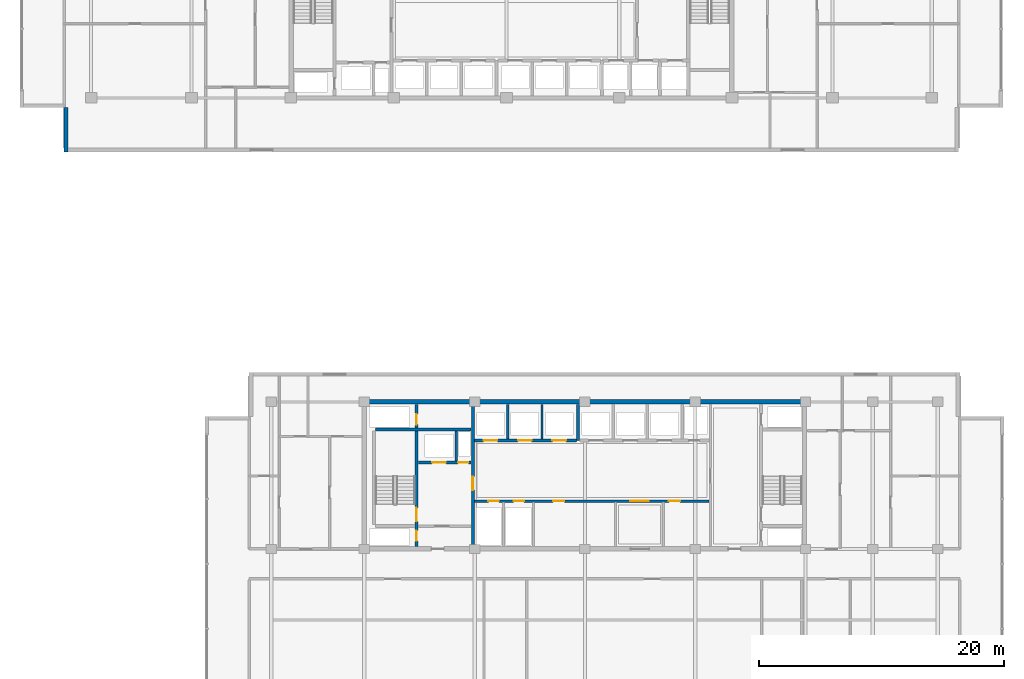
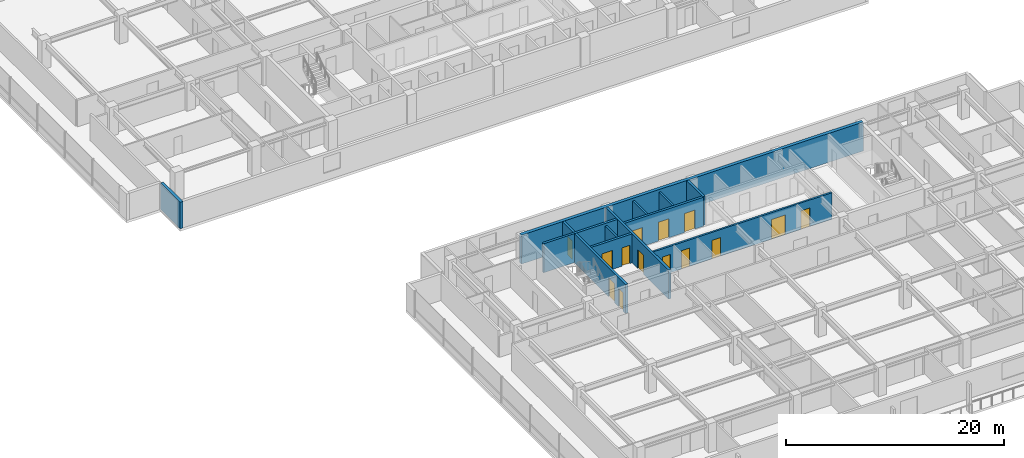
# One storey, part 23 of 38: 14 doors, 12 walls, 14 openings.
"""IFC4 building model written with IfcOpenShell, lengths in metres."""

import ifcopenshell
import ifcopenshell.guid

model = None  # the IFC model being written
_history = None  # IfcOwnerHistory: only IFC2X3 demands one
_inside = {}  # id of a spatial element -> (the spatial element, [elements in it])
_under = {}  # id of a project, library or spatial element -> (it, [spatial elements below it])
_declared = {}  # id of a project -> (the project, [libraries it declares])
_typed = {}  # id of a type object -> (the type object, [elements of that type])
_made_of = {}  # id of a material, layer set ... -> (it, [elements and type objects made of it])


def new_model(schema):
    """Start an empty IFC model of exactly this schema.

    Asked for "IFC4X3", IfcOpenShell would pick the latest addendum, in which some entities
    have other attributes; the version numbers below select the first issue.
    IFC2X3 requires an IfcOwnerHistory on every rooted entity: one is made here for all.
    """
    global model, _history
    if schema == "IFC4X3":
        model = ifcopenshell.file(schema_version=(4, 3, 0, 0))
    else:
        model = ifcopenshell.file(schema=schema)
    _inside.clear()
    _under.clear()
    _declared.clear()
    _typed.clear()
    _made_of.clear()
    _history = None
    if model.schema == "IFC2X3":
        org = make("IfcOrganization", Name="unknown")
        user = make(
            "IfcPersonAndOrganization",
            ThePerson=make("IfcPerson", FamilyName="unknown"),
            TheOrganization=org,
        )
        app = make(
            "IfcApplication",
            ApplicationDeveloper=org,
            Version="unknown",
            ApplicationFullName="unknown",
            ApplicationIdentifier="unknown",
        )
        _history = make(
            "IfcOwnerHistory",
            OwningUser=user,
            OwningApplication=app,
            ChangeAction="ADDED",
            CreationDate=0,
        )
    return model


def make(cls, **values):
    """One entity of the class cls with the attributes given. An attribute that is None is left unset."""
    return model.create_entity(
        cls, **{name: value for name, value in values.items() if value is not None}
    )


def rooted(cls, **values):
    """An entity with a GlobalId (a new one), such as an element, a storey or a relation."""
    return make(cls, GlobalId=ifcopenshell.guid.new(), OwnerHistory=_history, **values)


def si_unit(unit_type, name, prefix=None):
    """IfcSIUnit, for example si_unit("LENGTHUNIT", "METRE", prefix="MILLI")."""
    return make("IfcSIUnit", UnitType=unit_type, Prefix=prefix, Name=name)


def assignment(units):
    """IfcUnitAssignment: the units of a project."""
    return None if units is None else make("IfcUnitAssignment", Units=units)


def point(xyz):
    """IfcCartesianPoint."""
    return None if xyz is None else make("IfcCartesianPoint", Coordinates=xyz)


def direction(xyz):
    """IfcDirection."""
    return None if xyz is None else make("IfcDirection", DirectionRatios=xyz)


def frame(location, z_axis=None, x_axis=None):
    """IfcAxis2Placement3D, a coordinate frame: its origin and axes. An axis left out is left unset."""
    return make(
        "IfcAxis2Placement3D",
        Location=point(location),
        Axis=direction(z_axis),
        RefDirection=direction(x_axis),
    )


def frame_2d(location, x_axis=None):
    """IfcAxis2Placement2D, a coordinate frame in the plane: its origin and x axis."""
    return make(
        "IfcAxis2Placement2D", Location=point(location), RefDirection=direction(x_axis)
    )


def origin():
    """The frame at (0, 0, 0) with its axes left unset."""
    return frame((0.0, 0.0, 0.0))


def place(relative_to, where):
    """IfcLocalPlacement: puts the frame where relative to a parent placement (None: the world)."""
    return make(
        "IfcLocalPlacement", PlacementRelTo=relative_to, RelativePlacement=where
    )


def context(
    kind, dimensions, precision=None, world=None, true_north=None, identifier=None
):
    """IfcGeometricRepresentationContext, for example the 3D "Model" context."""
    return make(
        "IfcGeometricRepresentationContext",
        ContextIdentifier=identifier,
        ContextType=kind,
        CoordinateSpaceDimension=dimensions,
        Precision=precision,
        WorldCoordinateSystem=world,
        TrueNorth=true_north,
    )


def subcontext(parent, identifier, kind, view, scale=None):
    """IfcGeometricRepresentationSubContext, for example "Body" below "Model"."""
    return make(
        "IfcGeometricRepresentationSubContext",
        ContextIdentifier=identifier,
        ContextType=kind,
        ParentContext=parent,
        TargetScale=scale,
        TargetView=view,
    )


def project(units=None, contexts=None):
    """IfcProject with its units and contexts."""
    return rooted(
        "IfcProject",
        Name="project",
        RepresentationContexts=contexts,
        UnitsInContext=assignment(units),
    )


def spatial(cls, under=None, at=None, **own):
    """A site, building, storey or space (cls), placed at a placement, below another one or the project."""
    s = rooted(cls, ObjectPlacement=at, **own)
    if under is not None:
        _under.setdefault(under.id(), (under, []))[1].append(s)
    return s


def profile(cls, at=None, kind="AREA", **sizes):
    """A parametric profile (cls). Its sizes go by their IFC names, for example OverallWidth=200.0."""
    return make(cls, ProfileType=kind, Position=at, **sizes)


def rectangle(**sizes):
    """IfcRectangleProfileDef."""
    return profile("IfcRectangleProfileDef", **sizes)


def extrude(swept, where, along, depth):
    """IfcExtrudedAreaSolid: the profile swept, set in the frame where, extruded along a direction by depth."""
    return make(
        "IfcExtrudedAreaSolid",
        SweptArea=swept,
        Position=where,
        ExtrudedDirection=direction(along),
        Depth=depth,
    )


def shape(context_of_items, identifier, shape_type, items):
    """IfcShapeRepresentation: the items that make up one representation, for example the "Body"."""
    return make(
        "IfcShapeRepresentation",
        ContextOfItems=context_of_items,
        RepresentationIdentifier=identifier,
        RepresentationType=shape_type,
        Items=items,
    )


def material(Name=None, Category=None):
    """IfcMaterial."""
    return make("IfcMaterial", Name=Name, Category=Category)


def layer(
    of_material, thickness, ventilated=None, Name=None, Category=None, Priority=None
):
    """IfcMaterialLayer: one layer of a wall or slab, of a material (None: an air gap)."""
    return make(
        "IfcMaterialLayer",
        Material=of_material,
        LayerThickness=thickness,
        IsVentilated=ventilated,
        Name=Name,
        Category=Category,
        Priority=Priority,
    )


def layer_set(layers, Name=None):
    """IfcMaterialLayerSet."""
    return make("IfcMaterialLayerSet", MaterialLayers=layers, LayerSetName=Name)


def made_of(thing, what):
    """Note that an element or type object is made of a material, layer set ...; save() writes the relation."""
    if what is not None:
        _made_of.setdefault(what.id(), (what, []))[1].append(thing)
    return thing


def type_object(cls, material=None, **own):
    """A type object (cls), such as IfcWallType, which elements share."""
    return made_of(rooted(cls, **own), material)


def element(
    cls,
    number,
    at=None,
    inside=None,
    cuts=None,
    type_object=None,
    material=None,
    context=None,
    identifier="Body",
    shape_type=None,
    held_by="IfcProductDefinitionShape",
    body=None,
    shapes=None,
    **own,
):
    """One element of the class cls, such as IfcWall. Its Tag is "e" and its number.

    at: its placement. inside: the storey or other place that contains it. cuts: it is an
    opening in that element (IfcRelVoidsElement). A single representation is given by context,
    identifier, shape_type and body (its items); several are given by shapes. held_by: the class
    of the entity that holds the representations. save() writes the other relations.
    """
    e = rooted(cls, Tag="e%d" % number, ObjectPlacement=at, **own)
    if body is not None:
        shapes = [shape(context, identifier, shape_type, body)]
    if shapes is not None:
        e.Representation = make(held_by, Representations=shapes)
    if inside is not None:
        _inside.setdefault(inside.id(), (inside, []))[1].append(e)
    if cuts is not None:
        rooted(
            "IfcRelVoidsElement", RelatingBuildingElement=cuts, RelatedOpeningElement=e
        )
    if type_object is not None:
        _typed.setdefault(type_object.id(), (type_object, []))[1].append(e)
    return made_of(e, material)


def fill(opening, filler):
    """IfcRelFillsElement: the door or window that sits in an opening."""
    return rooted(
        "IfcRelFillsElement",
        RelatingOpeningElement=opening,
        RelatedBuildingElement=filler,
    )


def aggregate(whole, parts):
    """IfcRelAggregates: a whole, such as a stair, and the parts it consists of."""
    return rooted("IfcRelAggregates", RelatingObject=whole, RelatedObjects=parts)


def save(model, path):
    """Write the relations noted so far, then the file.

    IfcRelAggregates (storeys below a building ...), IfcRelContainedInSpatialStructure (elements
    in a storey), IfcRelDefinesByType, IfcRelAssociatesMaterial and IfcRelDeclares: one each for
    every whole, place, type object, material and project.
    """
    for whole, parts in _under.values():
        aggregate(whole, parts)
    for where, things in _inside.values():
        rooted(
            "IfcRelContainedInSpatialStructure",
            RelatedElements=things,
            RelatingStructure=where,
        )
    for kind, things in _typed.values():
        rooted("IfcRelDefinesByType", RelatedObjects=things, RelatingType=kind)
    for what, things in _made_of.values():
        rooted("IfcRelAssociatesMaterial", RelatedObjects=things, RelatingMaterial=what)
    for by, libraries in _declared.values():
        rooted("IfcRelDeclares", RelatingContext=by, RelatedDefinitions=libraries)
    model.write(path)


model = new_model("IFC4")

# Units and contexts
model_context = context("Model", 3, precision=1e-05, world=origin(), true_north=direction((0.0, 1.0)))
body_context = subcontext(model_context, "Body", "Model", "MODEL_VIEW")
ifc_project = project(units=[si_unit("LENGTHUNIT", "METRE"), si_unit("AREAUNIT", "SQUARE_METRE"), si_unit("VOLUMEUNIT", "CUBIC_METRE"), si_unit("PLANEANGLEUNIT", "RADIAN"), si_unit("MASSUNIT", "GRAM", prefix="KILO")], contexts=[model_context])

# Site, building, storey
site_placement = place(None, origin())
site = spatial("IfcSite", under=ifc_project, at=site_placement, CompositionType="ELEMENT")
building_placement = place(site_placement, origin())
building = spatial("IfcBuilding", under=site, at=building_placement, Name="Korimba Cascade Residences", CompositionType="ELEMENT")
storey_placement = place(building_placement, frame((0.0, 0.0, 93.800048828125)))
storey = spatial("IfcBuildingStorey", under=building, at=storey_placement, Name="L26", CompositionType="ELEMENT", Elevation=93.800048828125)

# Walls
ifc_material_1 = material(Name="Precast concrete C40/50", Category="concrete")
ifc_layer_1 = layer(ifc_material_1, 0.300048828125)
ifc_layer_set_1 = layer_set([ifc_layer_1], Name="Precast concrete C40/50")
wall_type_1 = type_object("IfcWallType", Name="EW-STONE-300", PredefinedType="STANDARD", material=ifc_layer_set_1)
wall_1_placement = place(storey_placement, frame((57.75, 54.39990234375, 0.0), z_axis=(0.0, 0.0, 1.0), x_axis=(0.0, -1.0, 0.0)))
element("IfcWall", 1, at=wall_1_placement, inside=storey, type_object=wall_type_1, Name="L26 T1 Perimeter Stone Wall E11", PredefinedType="STANDARD", context=body_context, shape_type="SweptSolid", body=[
    extrude(rectangle(XDim=3.599853515625, YDim=0.300048828125, at=frame_2d((1.7998046875, 0.0))), origin(), (0.0, 0.0, 1.0), 2.969970703125),
])
ifc_material_2 = material(Name="Concrete C65/80", Category="concrete")
ifc_layer_2 = layer(ifc_material_2, 0.35009765625)
ifc_layer_set_2 = layer_set([ifc_layer_2], Name="Concrete C65/80")
wall_type_2 = type_object("IfcWallType", Name="WAL-CORE-350", PredefinedType="SHEAR", material=ifc_layer_set_2)
wall_2_placement = place(storey_placement, frame((81.925048828125, 30.39990234375, 0.0), z_axis=(0.0, 0.0, 1.0), x_axis=(1.0, 0.0, 0.0)))
element("IfcWall", 2, at=wall_2_placement, inside=storey, type_object=wall_type_2, Name="L26 Core Shear Wall CW-L26-T2-N", PredefinedType="SHEAR", context=body_context, shape_type="SweptSolid", body=[
    extrude(rectangle(XDim=36.264892578125, YDim=0.35009765625, at=frame_2d((18.13232421875, 0.0))), origin(), (0.0, 0.0, 1.0), 3.25),
])
ifc_material_3 = material(Name="Concrete C40/50", Category="concrete")
ifc_layer_3 = layer(ifc_material_3, 0.199951171875)
ifc_layer_set_3 = layer_set([ifc_layer_3], Name="Concrete C40/50")
wall_type_3 = type_object("IfcWallType", Name="WAL-PART-200", PredefinedType="PARTITIONING", material=ifc_layer_set_3)
wall_3_placement = place(storey_placement, frame((89.60009765625, 25.580078125, 0.0), z_axis=(0.0, 0.0, 1.0), x_axis=(0.0, 1.0, 0.0)))
element("IfcWall", 3, at=wall_3_placement, inside=storey, type_object=wall_type_3, Name="L26 Partition Wall CW-L26-T2-FFLDIV", PredefinedType="PARTITIONING", context=body_context, shape_type="SweptSolid", body=[
    extrude(rectangle(XDim=2.419921875, YDim=0.199951171875, at=frame_2d((1.2099609375, 0.0))), origin(), (0.0, 0.0, 1.0), 2.969970703125),
])
for number, where, z_axis, x_axis, name in (
    (4, (93.800048828125, 27.3798828125, 0.0), (0.0, 0.0, 1.0), (0.0, 1.0, 0.0), "L26 Partition Wall CW-L26-T2-B1D1"),
    (5, (96.60009765625, 27.3798828125, 0.0), (0.0, 0.0, 1.0), (0.0, 1.0, 0.0), "L26 Partition Wall CW-L26-T2-B1D2"),
):
    element("IfcWall", number, at=place(storey_placement, frame(where, z_axis=z_axis, x_axis=x_axis)), inside=storey, type_object=wall_type_3, Name=name, PredefinedType="PARTITIONING", context=body_context, shape_type="SweptSolid", body=[
        extrude(rectangle(XDim=2.820068359375, YDim=0.199951171875, at=frame_2d((1.41015625, 0.0))), origin(), (0.0, 0.0, 1.0), 2.969970703125),
    ])

# Wall, openings, doors
wall_4_placement = place(storey_placement, frame((91.080078125, 22.300048828125, 0.0), z_axis=(0.0, 0.0, 1.0), x_axis=(1.0, 0.0, 0.0)))
wall_4 = element("IfcWall", 6, at=wall_4_placement, inside=storey, type_object=wall_type_3, Name="L26 Partition Wall CW-L26-T2-SRVROW", PredefinedType="PARTITIONING", context=body_context, shape_type="SweptSolid", body=[
    extrude(rectangle(XDim=19.139892578125, YDim=0.199951171875, at=frame_2d((9.56982421875, 0.0))), origin(), (0.0, 0.0, 1.0), 2.969970703125),
])
opening_1_placement = place(wall_4_placement, frame((1.14990234375, 0.0, 0.0)))
opening_1 = element("IfcOpeningElement", 7, at=opening_1_placement, cuts=wall_4, Name="Opening D-RS1", PredefinedType="OPENING", context=body_context, shape_type="SweptSolid", body=[
    extrude(rectangle(XDim=0.85009765625, YDim=2.050048828125, at=frame_2d((0.425048828125, 1.02490234375))), frame((0.0, 0.10986328125, 0.0), z_axis=(0.0, -1.0, 0.0), x_axis=(1.0, 0.0, 0.0)), (0.0, 0.0, 1.0), 0.219970703125),
])
opening_2_placement = place(wall_4_placement, frame((3.199951171875, 0.0, 0.0)))
opening_2 = element("IfcOpeningElement", 8, at=opening_2_placement, cuts=wall_4, Name="Opening D-RS1", PredefinedType="OPENING", context=body_context, shape_type="SweptSolid", body=[
    extrude(rectangle(XDim=0.85009765625, YDim=2.050048828125, at=frame_2d((0.425048828125, 1.02490234375))), frame((0.0, 0.10986328125, 0.0), z_axis=(0.0, -1.0, 0.0), x_axis=(1.0, 0.0, 0.0)), (0.0, 0.0, 1.0), 0.219970703125),
])
opening_3_placement = place(wall_4_placement, frame((12.719970703125, 0.0, 0.0)))
opening_3 = element("IfcOpeningElement", 9, at=opening_3_placement, cuts=wall_4, Name="Opening D-FD8", PredefinedType="OPENING", context=body_context, shape_type="SweptSolid", body=[
    extrude(rectangle(XDim=1.5, YDim=2.199951171875, at=frame_2d((0.75, 1.10009765625))), frame((0.0, 0.10986328125, 0.0), z_axis=(0.0, -1.0, 0.0), x_axis=(1.0, 0.0, 0.0)), (0.0, 0.0, 1.0), 0.219970703125),
])
opening_4_placement = place(wall_4_placement, frame((6.419921875, 0.0, 0.0)))
opening_4 = element("IfcOpeningElement", 10, at=opening_4_placement, cuts=wall_4, Name="Opening D-IN1", PredefinedType="OPENING", context=body_context, shape_type="SweptSolid", body=[
    extrude(rectangle(XDim=0.919921875, YDim=2.080078125, at=frame_2d((0.4599609375, 1.0400390625))), frame((0.0, 0.10986328125, 0.0), z_axis=(0.0, -1.0, 0.0), x_axis=(1.0, 0.0, 0.0)), (0.0, 0.0, 1.0), 0.219970703125),
])
opening_5_placement = place(wall_4_placement, frame((15.8701171875, 0.0, 0.0)))
opening_5 = element("IfcOpeningElement", 11, at=opening_5_placement, cuts=wall_4, Name="Opening D-IN1", PredefinedType="OPENING", context=body_context, shape_type="SweptSolid", body=[
    extrude(rectangle(XDim=0.919921875, YDim=2.080078125, at=frame_2d((0.4599609375, 1.0400390625))), frame((0.0, 0.10986328125, 0.0), z_axis=(0.0, -1.0, 0.0), x_axis=(1.0, 0.0, 0.0)), (0.0, 0.0, 1.0), 0.219970703125),
])
ifc_material_4 = material(Name="Fire-Rated Steel Riser Access Door", Category="steel")
door_type_1 = type_object("IfcDoorType", Name="DR-FD60-850", OperationType="NOTDEFINED", PredefinedType="DOOR", material=ifc_material_4)
door_1_placement = place(opening_1_placement, origin())
door_1 = element("IfcDoor", 12, at=door_1_placement, inside=storey, type_object=door_type_1, Name="L26 T2 Electrical Riser Door", OperationType="SINGLE_SWING_LEFT", OverallHeight=2.050048828125, OverallWidth=0.85009765625, PredefinedType="DOOR", context=body_context, shape_type="SweptSolid", body=[
    extrude(rectangle(XDim=0.85009765625, YDim=2.050048828125, at=frame_2d((0.425048828125, 1.02490234375))), frame((0.0, 0.02490234375, 0.0), z_axis=(0.0, -1.0, 0.0), x_axis=(1.0, 0.0, 0.0)), (0.0, 0.0, 1.0), 0.050048828125),
])
fill(opening_1, door_1)
door_2_placement = place(opening_2_placement, origin())
door_2 = element("IfcDoor", 13, at=door_2_placement, inside=storey, type_object=door_type_1, Name="L26 T2 Plumbing Riser Door", OperationType="SINGLE_SWING_RIGHT", OverallHeight=2.050048828125, OverallWidth=0.85009765625, PredefinedType="DOOR", context=body_context, shape_type="SweptSolid", body=[
    extrude(rectangle(XDim=0.85009765625, YDim=2.050048828125, at=frame_2d((0.425048828125, 1.02490234375))), frame((0.0, 0.02490234375, 0.0), z_axis=(0.0, -1.0, 0.0), x_axis=(1.0, 0.0, 0.0)), (0.0, 0.0, 1.0), 0.050048828125),
])
fill(opening_2, door_2)
ifc_material_5 = material(Name="Fire-Rated Glazed Lift Lobby Double Door", Category="glass")
door_type_2 = type_object("IfcDoorType", Name="DR-FD90-1500", OperationType="NOTDEFINED", PredefinedType="DOOR", material=ifc_material_5)
door_3_placement = place(opening_3_placement, origin())
door_3 = element("IfcDoor", 14, at=door_3_placement, inside=storey, type_object=door_type_2, Name="L26 T2 Lift Lobby Foyer Door", OperationType="DOUBLE_DOOR_SINGLE_SWING", OverallHeight=2.199951171875, OverallWidth=1.5, PredefinedType="DOOR", context=body_context, shape_type="SweptSolid", body=[
    extrude(rectangle(XDim=1.5, YDim=2.199951171875, at=frame_2d((0.75, 1.10009765625))), frame((0.0, 0.02490234375, 0.0), z_axis=(0.0, -1.0, 0.0), x_axis=(1.0, 0.0, 0.0)), (0.0, 0.0, 1.0), 0.050048828125),
])
fill(opening_3, door_3)
ifc_material_6 = material(Name="Acoustic Timber Living Door", Category="wood")
door_type_3 = type_object("IfcDoorType", Name="DR-INT-920", OperationType="NOTDEFINED", PredefinedType="DOOR", material=ifc_material_6)
door_4_placement = place(opening_4_placement, origin())
door_4 = element("IfcDoor", 15, at=door_4_placement, inside=storey, type_object=door_type_3, Name="L26 T2 Housekeeping Door", OperationType="SINGLE_SWING_LEFT", OverallHeight=2.080078125, OverallWidth=0.919921875, PredefinedType="DOOR", context=body_context, shape_type="SweptSolid", body=[
    extrude(rectangle(XDim=0.919921875, YDim=2.080078125, at=frame_2d((0.4599609375, 1.0400390625))), frame((0.0, 0.02490234375, 0.0), z_axis=(0.0, -1.0, 0.0), x_axis=(1.0, 0.0, 0.0)), (0.0, 0.0, 1.0), 0.050048828125),
])
fill(opening_4, door_4)
door_5_placement = place(opening_5_placement, origin())
door_5 = element("IfcDoor", 16, at=door_5_placement, inside=storey, type_object=door_type_3, Name="L26 T2 Store Door", OperationType="SINGLE_SWING_RIGHT", OverallHeight=2.080078125, OverallWidth=0.919921875, PredefinedType="DOOR", context=body_context, shape_type="SweptSolid", body=[
    extrude(rectangle(XDim=0.919921875, YDim=2.080078125, at=frame_2d((0.4599609375, 1.0400390625))), frame((0.0, 0.02490234375, 0.0), z_axis=(0.0, -1.0, 0.0), x_axis=(1.0, 0.0, 0.0)), (0.0, 0.0, 1.0), 0.050048828125),
])
fill(opening_5, door_5)

ifc_material_7 = material(Name="Concrete C50/60", Category="concrete")
ifc_layer_4 = layer(ifc_material_7, 0.25)
ifc_layer_set_4 = layer_set([ifc_layer_4], Name="Concrete C50/60")
wall_type_4 = type_object("IfcWallType", Name="WAL-SHAFT-250", PredefinedType="SHEAR", material=ifc_layer_set_4)
wall_5_placement = place(storey_placement, frame((86.364990234375, 18.60009765625, 0.0), z_axis=(0.0, 0.0, 1.0), x_axis=(0.0, 1.0, 0.0)))
wall_5 = element("IfcWall", 17, at=wall_5_placement, inside=storey, type_object=wall_type_4, Name="L26 Core Shear Wall CW-L26-T2-STE1E", PredefinedType="SHEAR", context=body_context, shape_type="SweptSolid", body=[
    extrude(rectangle(XDim=11.599853515625, YDim=0.25, at=frame_2d((5.7998046875, 0.0))), origin(), (0.0, 0.0, 1.0), 3.25),
])
opening_6_placement = place(wall_5_placement, frame((0.449951171875, 0.0, 0.0)))
opening_6 = element("IfcOpeningElement", 18, at=opening_6_placement, cuts=wall_5, Name="Opening D-RS1", PredefinedType="OPENING", context=body_context, shape_type="SweptSolid", body=[
    extrude(rectangle(XDim=0.85009765625, YDim=2.050048828125, at=frame_2d((0.425048828125, 1.02490234375))), frame((0.0, 0.135009765625, 0.0), z_axis=(0.0, -1.0, 0.0), x_axis=(1.0, 0.0, 0.0)), (0.0, 0.0, 1.0), 0.27001953125),
])
opening_7_placement = place(wall_5_placement, frame((2.050048828125, 0.0, 0.0)))
opening_7 = element("IfcOpeningElement", 19, at=opening_7_placement, cuts=wall_5, Name="Opening D-FD1", PredefinedType="OPENING", context=body_context, shape_type="SweptSolid", body=[
    extrude(rectangle(XDim=1.10009765625, YDim=2.10009765625, at=frame_2d((0.550048828125, 1.050048828125))), frame((0.0, 0.135009765625, 0.0), z_axis=(0.0, -1.0, 0.0), x_axis=(1.0, 0.0, 0.0)), (0.0, 0.0, 1.0), 0.27001953125),
])
opening_8_placement = place(wall_5_placement, frame((9.949951171875, 0.0, 0.0)))
opening_8 = element("IfcOpeningElement", 20, at=opening_8_placement, cuts=wall_5, Name="Opening D-RS1", PredefinedType="OPENING", context=body_context, shape_type="SweptSolid", body=[
    extrude(rectangle(XDim=0.85009765625, YDim=2.050048828125, at=frame_2d((0.425048828125, 1.02490234375))), frame((0.0, 0.135009765625, 0.0), z_axis=(0.0, -1.0, 0.0), x_axis=(1.0, 0.0, 0.0)), (0.0, 0.0, 1.0), 0.27001953125),
])
ifc_material_8 = material(Name="Fire-Rated Steel Core Door", Category="steel")
door_type_4 = type_object("IfcDoorType", Name="DR-FD120-1100", OperationType="NOTDEFINED", PredefinedType="DOOR", material=ifc_material_8)
door_6_placement = place(opening_7_placement, origin())
door_6 = element("IfcDoor", 21, at=door_6_placement, inside=storey, type_object=door_type_4, Name="L26 Fire Stair ST-E1 Door", OperationType="SINGLE_SWING_LEFT", OverallHeight=2.10009765625, OverallWidth=1.10009765625, PredefinedType="DOOR", context=body_context, shape_type="SweptSolid", body=[
    extrude(rectangle(XDim=1.10009765625, YDim=2.10009765625, at=frame_2d((0.550048828125, 1.050048828125))), frame((0.0, 0.02490234375, 0.0), z_axis=(0.0, -1.0, 0.0), x_axis=(1.0, 0.0, 0.0)), (0.0, 0.0, 1.0), 0.050048828125),
])
fill(opening_7, door_6)
door_7_placement = place(opening_6_placement, origin())
door_7 = element("IfcDoor", 22, at=door_7_placement, inside=storey, type_object=door_type_1, Name="L26 T2 Hydrant Riser Door", OperationType="SINGLE_SWING_RIGHT", OverallHeight=2.050048828125, OverallWidth=0.85009765625, PredefinedType="DOOR", context=body_context, shape_type="SweptSolid", body=[
    extrude(rectangle(XDim=0.85009765625, YDim=2.050048828125, at=frame_2d((0.425048828125, 1.02490234375))), frame((0.0, 0.02490234375, 0.0), z_axis=(0.0, -1.0, 0.0), x_axis=(1.0, 0.0, 0.0)), (0.0, 0.0, 1.0), 0.050048828125),
])
fill(opening_6, door_7)
door_8_placement = place(opening_8_placement, origin())
door_8 = element("IfcDoor", 23, at=door_8_placement, inside=storey, type_object=door_type_1, Name="L26 T2 Smoke Shaft Door", OperationType="SINGLE_SWING_RIGHT", OverallHeight=2.050048828125, OverallWidth=0.85009765625, PredefinedType="DOOR", context=body_context, shape_type="SweptSolid", body=[
    extrude(rectangle(XDim=0.85009765625, YDim=2.050048828125, at=frame_2d((0.425048828125, 1.02490234375))), frame((0.0, 0.02490234375, 0.0), z_axis=(0.0, -1.0, 0.0), x_axis=(1.0, 0.0, 0.0)), (0.0, 0.0, 1.0), 0.050048828125),
])
fill(opening_8, door_8)

# Wall
wall_6_placement = place(storey_placement, frame((83.0, 28.125, 0.0), z_axis=(0.0, 0.0, 1.0), x_axis=(1.0, 0.0, 0.0)))
element("IfcWall", 24, at=wall_6_placement, inside=storey, type_object=wall_type_4, Name="L26 Core Shear Wall CW-L26-T2-STE1N", PredefinedType="SHEAR", context=body_context, shape_type="SweptSolid", body=[
    extrude(rectangle(XDim=7.820068359375, YDim=0.25, at=frame_2d((3.91015625, 0.0))), origin(), (0.0, 0.0, 1.0), 3.25),
])

# Wall, openings, doors
wall_7_placement = place(storey_placement, frame((86.5, 25.449951171875, 0.0), z_axis=(0.0, 0.0, 1.0), x_axis=(1.0, 0.0, 0.0)))
wall_7 = element("IfcWall", 25, at=wall_7_placement, inside=storey, type_object=wall_type_4, Name="L26 Core Shear Wall CW-L26-T2-FFLN", PredefinedType="SHEAR", context=body_context, shape_type="SweptSolid", body=[
    extrude(rectangle(XDim=4.320068359375, YDim=0.25, at=frame_2d((2.16015625, 0.0))), origin(), (0.0, 0.0, 1.0), 3.25),
])
opening_9_placement = place(wall_7_placement, frame((1.139892578125, 0.0, 0.0)))
opening_9 = element("IfcOpeningElement", 26, at=opening_9_placement, cuts=wall_7, Name="Opening LD-01", PredefinedType="OPENING", context=body_context, shape_type="SweptSolid", body=[
    extrude(rectangle(XDim=1.1201171875, YDim=2.1201171875, at=frame_2d((0.56005859375, 1.06005859375))), frame((0.0, 0.135009765625, 0.0), z_axis=(0.0, -1.0, 0.0), x_axis=(1.0, 0.0, 0.0)), (0.0, 0.0, 1.0), 0.27001953125),
])
opening_10_placement = place(wall_7_placement, frame((3.25, 0.0, 0.0)))
opening_10 = element("IfcOpeningElement", 27, at=opening_10_placement, cuts=wall_7, Name="Opening D-RS1", PredefinedType="OPENING", context=body_context, shape_type="SweptSolid", body=[
    extrude(rectangle(XDim=0.85009765625, YDim=2.050048828125, at=frame_2d((0.425048828125, 1.02490234375))), frame((0.0, 0.135009765625, 0.0), z_axis=(0.0, -1.0, 0.0), x_axis=(1.0, 0.0, 0.0)), (0.0, 0.0, 1.0), 0.27001953125),
])
door_9_placement = place(opening_10_placement, origin())
door_9 = element("IfcDoor", 28, at=door_9_placement, inside=storey, type_object=door_type_1, Name="L26 T2 Pressurisation Riser Door", OperationType="SINGLE_SWING_LEFT", OverallHeight=2.050048828125, OverallWidth=0.85009765625, PredefinedType="DOOR", context=body_context, shape_type="SweptSolid", body=[
    extrude(rectangle(XDim=0.85009765625, YDim=2.050048828125, at=frame_2d((0.425048828125, 1.02490234375))), frame((0.0, 0.02490234375, 0.0), z_axis=(0.0, -1.0, 0.0), x_axis=(1.0, 0.0, 0.0)), (0.0, 0.0, 1.0), 0.050048828125),
])
fill(opening_10, door_9)
ifc_material_9 = material(Name="Stainless Steel Lift Landing Sliding Door", Category="steel")
door_type_5 = type_object("IfcDoorType", Name="DR-LIFT-1100", OperationType="NOTDEFINED", PredefinedType="DOOR", material=ifc_material_9)
door_10_placement = place(opening_9_placement, origin())
door_10 = element("IfcDoor", 29, at=door_10_placement, inside=storey, type_object=door_type_5, Name="L26 Firefighting Lift Landing Door FFL-E1", OperationType="SLIDING_TO_RIGHT", OverallHeight=2.1201171875, OverallWidth=1.1201171875, PredefinedType="DOOR", context=body_context, shape_type="SweptSolid", body=[
    extrude(rectangle(XDim=1.1201171875, YDim=2.1201171875, at=frame_2d((0.56005859375, 1.06005859375))), frame((0.0, 0.02490234375, 0.0), z_axis=(0.0, -1.0, 0.0), x_axis=(1.0, 0.0, 0.0)), (0.0, 0.0, 1.0), 0.050048828125),
])
fill(opening_9, door_10)

# Wall, opening, door
wall_8_placement = place(storey_placement, frame((90.949951171875, 18.60009765625, 0.0), z_axis=(0.0, 0.0, 1.0), x_axis=(0.0, 1.0, 0.0)))
wall_8 = element("IfcWall", 30, at=wall_8_placement, inside=storey, type_object=wall_type_4, Name="L26 Core Shear Wall CW-L26-T2-FFLE", PredefinedType="SHEAR", context=body_context, shape_type="SweptSolid", body=[
    extrude(rectangle(XDim=11.599853515625, YDim=0.25, at=frame_2d((5.7998046875, 0.0))), origin(), (0.0, 0.0, 1.0), 3.25),
])
opening_11_placement = place(wall_8_placement, frame((4.60009765625, 0.0, 0.0)))
opening_11 = element("IfcOpeningElement", 31, at=opening_11_placement, cuts=wall_8, Name="Opening D-FD1", PredefinedType="OPENING", context=body_context, shape_type="SweptSolid", body=[
    extrude(rectangle(XDim=1.10009765625, YDim=2.10009765625, at=frame_2d((0.550048828125, 1.050048828125))), frame((0.0, 0.135009765625, 0.0), z_axis=(0.0, -1.0, 0.0), x_axis=(1.0, 0.0, 0.0)), (0.0, 0.0, 1.0), 0.27001953125),
])
door_11_placement = place(opening_11_placement, origin())
door_11 = element("IfcDoor", 32, at=door_11_placement, inside=storey, type_object=door_type_4, Name="L26 T2 Firefighting Lobby to Lift Lobby Door", OperationType="SINGLE_SWING_LEFT", OverallHeight=2.10009765625, OverallWidth=1.10009765625, PredefinedType="DOOR", context=body_context, shape_type="SweptSolid", body=[
    extrude(rectangle(XDim=1.10009765625, YDim=2.10009765625, at=frame_2d((0.550048828125, 1.050048828125))), frame((0.0, 0.02490234375, 0.0), z_axis=(0.0, -1.0, 0.0), x_axis=(1.0, 0.0, 0.0)), (0.0, 0.0, 1.0), 0.050048828125),
])
fill(opening_11, door_11)

# Wall, openings, doors
wall_9_placement = place(storey_placement, frame((91.080078125, 27.25, 0.0), z_axis=(0.0, 0.0, 1.0), x_axis=(1.0, 0.0, 0.0)))
wall_9 = element("IfcWall", 33, at=wall_9_placement, inside=storey, type_object=wall_type_4, Name="L26 Core Shear Wall CW-L26-T2-B1S", PredefinedType="SHEAR", context=body_context, shape_type="SweptSolid", body=[
    extrude(rectangle(XDim=8.33984375, YDim=0.25, at=frame_2d((4.169921875, 0.0))), origin(), (0.0, 0.0, 1.0), 3.25),
])
opening_12_placement = place(wall_9_placement, frame((0.760009765625, 0.0, 0.0)))
opening_12 = element("IfcOpeningElement", 34, at=opening_12_placement, cuts=wall_9, Name="Opening LD-01", PredefinedType="OPENING", context=body_context, shape_type="SweptSolid", body=[
    extrude(rectangle(XDim=1.1201171875, YDim=2.1201171875, at=frame_2d((0.56005859375, 1.06005859375))), frame((0.0, 0.135009765625, 0.0), z_axis=(0.0, -1.0, 0.0), x_axis=(1.0, 0.0, 0.0)), (0.0, 0.0, 1.0), 0.27001953125),
])
opening_13_placement = place(wall_9_placement, frame((3.56005859375, 0.0, 0.0)))
opening_13 = element("IfcOpeningElement", 35, at=opening_13_placement, cuts=wall_9, Name="Opening LD-01", PredefinedType="OPENING", context=body_context, shape_type="SweptSolid", body=[
    extrude(rectangle(XDim=1.1201171875, YDim=2.1201171875, at=frame_2d((0.56005859375, 1.06005859375))), frame((0.0, 0.135009765625, 0.0), z_axis=(0.0, -1.0, 0.0), x_axis=(1.0, 0.0, 0.0)), (0.0, 0.0, 1.0), 0.27001953125),
])
opening_14_placement = place(wall_9_placement, frame((6.360107421875, 0.0, 0.0)))
opening_14 = element("IfcOpeningElement", 36, at=opening_14_placement, cuts=wall_9, Name="Opening LD-01", PredefinedType="OPENING", context=body_context, shape_type="SweptSolid", body=[
    extrude(rectangle(XDim=1.1201171875, YDim=2.1201171875, at=frame_2d((0.56005859375, 1.06005859375))), frame((0.0, 0.135009765625, 0.0), z_axis=(0.0, -1.0, 0.0), x_axis=(1.0, 0.0, 0.0)), (0.0, 0.0, 1.0), 0.27001953125),
])
door_12_placement = place(opening_12_placement, origin())
door_12 = element("IfcDoor", 37, at=door_12_placement, inside=storey, type_object=door_type_5, Name="L26 Lift Landing Door PL-E1", OperationType="SLIDING_TO_LEFT", OverallHeight=2.1201171875, OverallWidth=1.1201171875, PredefinedType="DOOR", context=body_context, shape_type="SweptSolid", body=[
    extrude(rectangle(XDim=1.1201171875, YDim=2.1201171875, at=frame_2d((0.56005859375, 1.06005859375))), frame((0.0, 0.02490234375, 0.0), z_axis=(0.0, -1.0, 0.0), x_axis=(1.0, 0.0, 0.0)), (0.0, 0.0, 1.0), 0.050048828125),
])
fill(opening_12, door_12)
door_13_placement = place(opening_13_placement, origin())
door_13 = element("IfcDoor", 38, at=door_13_placement, inside=storey, type_object=door_type_5, Name="L26 Lift Landing Door PL-E2", OperationType="SLIDING_TO_LEFT", OverallHeight=2.1201171875, OverallWidth=1.1201171875, PredefinedType="DOOR", context=body_context, shape_type="SweptSolid", body=[
    extrude(rectangle(XDim=1.1201171875, YDim=2.1201171875, at=frame_2d((0.56005859375, 1.06005859375))), frame((0.0, 0.02490234375, 0.0), z_axis=(0.0, -1.0, 0.0), x_axis=(1.0, 0.0, 0.0)), (0.0, 0.0, 1.0), 0.050048828125),
])
fill(opening_13, door_13)
door_14_placement = place(opening_14_placement, origin())
door_14 = element("IfcDoor", 39, at=door_14_placement, inside=storey, type_object=door_type_5, Name="L26 Lift Landing Door PL-E3", OperationType="SLIDING_TO_LEFT", OverallHeight=2.1201171875, OverallWidth=1.1201171875, PredefinedType="DOOR", context=body_context, shape_type="SweptSolid", body=[
    extrude(rectangle(XDim=1.1201171875, YDim=2.1201171875, at=frame_2d((0.56005859375, 1.06005859375))), frame((0.0, 0.02490234375, 0.0), z_axis=(0.0, -1.0, 0.0), x_axis=(1.0, 0.0, 0.0)), (0.0, 0.0, 1.0), 0.050048828125),
])
fill(opening_14, door_14)

# Wall
wall_10_placement = place(storey_placement, frame((99.550048828125, 27.25, 0.0), z_axis=(0.0, 0.0, 1.0), x_axis=(0.0, 1.0, 0.0)))
element("IfcWall", 40, at=wall_10_placement, inside=storey, type_object=wall_type_4, Name="L26 Core Shear Wall CW-L26-T2-B12DIV", PredefinedType="SHEAR", context=body_context, shape_type="SweptSolid", body=[
    extrude(rectangle(XDim=2.949951171875, YDim=0.25, at=frame_2d((1.47509765625, 0.0))), origin(), (0.0, 0.0, 1.0), 3.25),
])

save(model, "model.ifc")
